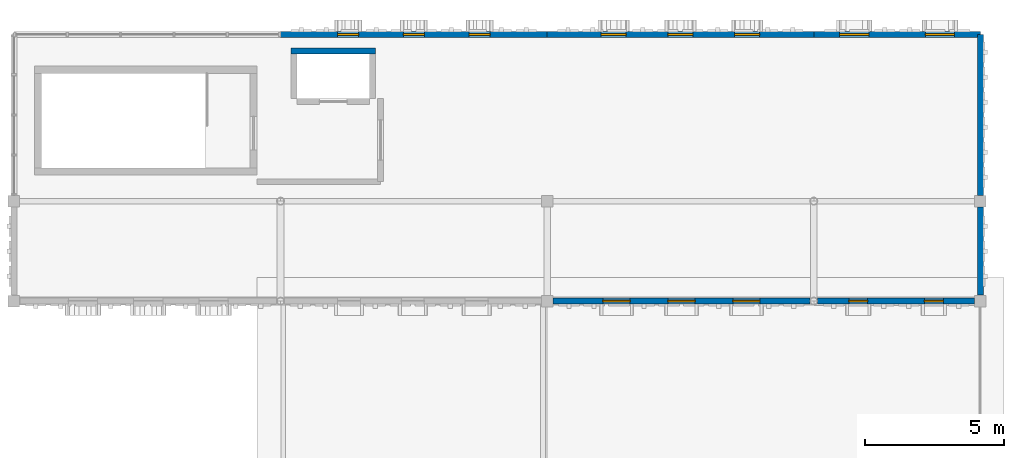
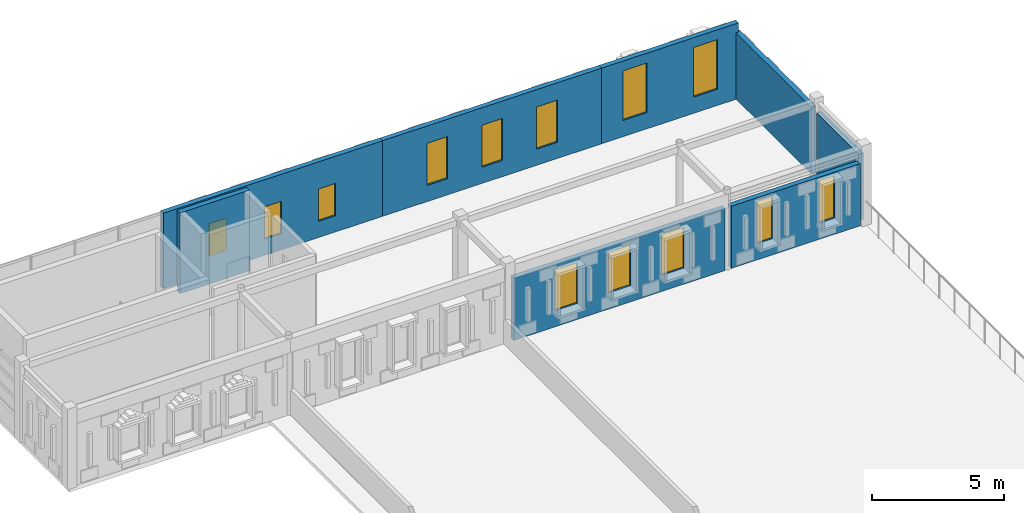
# One storey, part 18 of 25: 13 windows, 8 walls, 13 openings.
"""IFC4 building model written with IfcOpenShell, lengths in metres."""

from ifc_helpers import new_model, si_unit, direction, frame, frame_2d, origin, place, context, subcontext, project, spatial, rectangle, extrude, material, layer, layer_set, type_object, element, fill, save


model = new_model("IFC4")

# Units and contexts
model_context = context("Model", 3, precision=1e-05, world=origin(), true_north=direction((0.0, 1.0)))
body_context = subcontext(model_context, "Body", "Model", "MODEL_VIEW")
ifc_project = project(units=[si_unit("LENGTHUNIT", "METRE"), si_unit("AREAUNIT", "SQUARE_METRE"), si_unit("VOLUMEUNIT", "CUBIC_METRE"), si_unit("PLANEANGLEUNIT", "RADIAN"), si_unit("MASSUNIT", "GRAM", prefix="KILO")], contexts=[model_context])

# Site, building, storey
site_placement = place(None, origin())
site = spatial("IfcSite", under=ifc_project, at=site_placement, CompositionType="ELEMENT")
building_placement = place(site_placement, origin())
building = spatial("IfcBuilding", under=site, at=building_placement, Name="Nzembalo Square Collegiate School", CompositionType="ELEMENT")
storey_placement = place(building_placement, frame((0.0, 0.0, 21.080078125)))
storey = spatial("IfcBuildingStorey", under=building, at=storey_placement, Name="L05", CompositionType="ELEMENT", Elevation=21.080078125)

# Wall
ifc_material_1 = material(Name="Concrete C35/45", Category="concrete")
ifc_layer_1 = layer(ifc_material_1, 0.219970703125, Name="Concrete C35/45")
ifc_layer_set_1 = layer_set([ifc_layer_1], Name="Concrete C35/45")
wall_type_1 = type_object("IfcWallType", Name="SW08", PredefinedType="SHEAR", material=ifc_layer_set_1)
wall_1_placement = place(storey_placement, frame((140.780029296875, 88.2099609375, 0.0), z_axis=(0.0, 0.0, 1.0), x_axis=(1.0, 0.0, 0.0)))
element("IfcWall", 1, at=wall_1_placement, inside=storey, type_object=wall_type_1, Name="Lift LF3 shaft wall N L05", PredefinedType="SHEAR", context=body_context, shape_type="SweptSolid", body=[
    extrude(rectangle(XDim=3.0400390625, YDim=0.219970703125, at=frame_2d((1.52001953125, 0.0))), origin(), (0.0, 0.0, 1.0), 3.739990234375),
])

# Wall, openings, windows
ifc_material_2 = material(Name="CLT CL24", Category="wood")
ifc_layer_2 = layer(ifc_material_2, 0.215087890625, Name="CLT CL24")
ifc_layer_set_2 = layer_set([ifc_layer_2], Name="CLT CL24")
wall_type_2 = type_object("IfcWallType", Name="W08", PredefinedType="SOLIDWALL", material=ifc_layer_set_2)
wall_2_placement = place(storey_placement, frame((140.39990234375, 88.800048828125, 0.0), z_axis=(0.0, 0.0, 1.0), x_axis=(1.0, 0.0, 0.0)))
wall_2 = element("IfcWall", 2, at=wall_2_placement, inside=storey, type_object=wall_type_2, Name="Exterior wall W08 L05", PredefinedType="SOLIDWALL", context=body_context, shape_type="SweptSolid", body=[
    extrude(rectangle(XDim=9.60009765625, YDim=0.215087890625, at=frame_2d((4.800048828125, 0.0))), origin(), (0.0, 0.0, 1.0), 3.50390625),
])
opening_1_placement = place(wall_2_placement, frame((2.0576171875, 0.0, 0.75)))
opening_1 = element("IfcOpeningElement", 3, at=opening_1_placement, cuts=wall_2, Name="Opening WN-L05-1114", PredefinedType="OPENING", context=body_context, shape_type="SweptSolid", body=[
    extrude(rectangle(XDim=0.75, YDim=1.5, at=frame_2d((0.375, 0.75))), frame((0.0, 0.11767578125, 0.0), z_axis=(0.0, -1.0, 0.0), x_axis=(1.0, 0.0, 0.0)), (0.0, 0.0, 1.0), 0.235107421875),
])
opening_2_placement = place(wall_2_placement, frame((4.425048828125, 0.0, 0.75)))
opening_2 = element("IfcOpeningElement", 4, at=opening_2_placement, cuts=wall_2, Name="Opening WN-L05-1115", PredefinedType="OPENING", context=body_context, shape_type="SweptSolid", body=[
    extrude(rectangle(XDim=0.75, YDim=1.5, at=frame_2d((0.375, 0.75))), frame((0.0, 0.11767578125, 0.0), z_axis=(0.0, -1.0, 0.0), x_axis=(1.0, 0.0, 0.0)), (0.0, 0.0, 1.0), 0.235107421875),
])
opening_3_placement = place(wall_2_placement, frame((6.79248046875, 0.0, 0.75)))
opening_3 = element("IfcOpeningElement", 5, at=opening_3_placement, cuts=wall_2, Name="Opening WN-L05-1116", PredefinedType="OPENING", context=body_context, shape_type="SweptSolid", body=[
    extrude(rectangle(XDim=0.75, YDim=1.5, at=frame_2d((0.375, 0.75))), frame((0.0, 0.11767578125, 0.0), z_axis=(0.0, -1.0, 0.0), x_axis=(1.0, 0.0, 0.0)), (0.0, 0.0, 1.0), 0.235107421875),
])
ifc_material_3 = material(Name="Powder-coated aluminium and low-E double glazing", Category="aluminium")
window_type_1 = type_object("IfcWindowType", Name="WN05", PartitioningType="SINGLE_PANEL", PredefinedType="WINDOW", material=ifc_material_3)
window_1_placement = place(opening_1_placement, origin())
window_1 = element("IfcWindow", 6, at=window_1_placement, inside=storey, type_object=window_type_1, Name="Lancet window WN-L05-1114", OverallHeight=1.5, OverallWidth=0.75, PartitioningType="SINGLE_PANEL", PredefinedType="WINDOW", context=body_context, shape_type="SweptSolid", body=[
    extrude(rectangle(XDim=0.75, YDim=1.5, at=frame_2d((0.375, 0.75))), frame((0.0, 0.030029296875, 0.0), z_axis=(0.0, -1.0, 0.0), x_axis=(1.0, 0.0, 0.0)), (0.0, 0.0, 1.0), 0.06005859375),
])
fill(opening_1, window_1)
window_2_placement = place(opening_2_placement, origin())
window_2 = element("IfcWindow", 7, at=window_2_placement, inside=storey, type_object=window_type_1, Name="Lancet window WN-L05-1115", OverallHeight=1.5, OverallWidth=0.75, PartitioningType="SINGLE_PANEL", PredefinedType="WINDOW", context=body_context, shape_type="SweptSolid", body=[
    extrude(rectangle(XDim=0.75, YDim=1.5, at=frame_2d((0.375, 0.75))), frame((0.0, 0.030029296875, 0.0), z_axis=(0.0, -1.0, 0.0), x_axis=(1.0, 0.0, 0.0)), (0.0, 0.0, 1.0), 0.06005859375),
])
fill(opening_2, window_2)
window_3_placement = place(opening_3_placement, origin())
window_3 = element("IfcWindow", 8, at=window_3_placement, inside=storey, type_object=window_type_1, Name="Lancet window WN-L05-1116", OverallHeight=1.5, OverallWidth=0.75, PartitioningType="SINGLE_PANEL", PredefinedType="WINDOW", context=body_context, shape_type="SweptSolid", body=[
    extrude(rectangle(XDim=0.75, YDim=1.5, at=frame_2d((0.375, 0.75))), frame((0.0, 0.030029296875, 0.0), z_axis=(0.0, -1.0, 0.0), x_axis=(1.0, 0.0, 0.0)), (0.0, 0.0, 1.0), 0.06005859375),
])
fill(opening_3, window_3)

wall_3_placement = place(storey_placement, frame((150.0, 88.800048828125, 0.0), z_axis=(0.0, 0.0, 1.0), x_axis=(1.0, 0.0, 0.0)))
wall_3 = element("IfcWall", 9, at=wall_3_placement, inside=storey, type_object=wall_type_2, Name="Exterior wall W08 L05", PredefinedType="SOLIDWALL", context=body_context, shape_type="SweptSolid", body=[
    extrude(rectangle(XDim=9.60009765625, YDim=0.215087890625, at=frame_2d((4.800048828125, 0.0))), origin(), (0.0, 0.0, 1.0), 3.50390625),
])
opening_4_placement = place(wall_3_placement, frame((1.945068359375, 0.0, 0.75)))
opening_4 = element("IfcOpeningElement", 10, at=opening_4_placement, cuts=wall_3, Name="Opening WN-L05-1117", PredefinedType="OPENING", context=body_context, shape_type="SweptSolid", body=[
    extrude(rectangle(XDim=0.89990234375, YDim=1.949951171875, at=frame_2d((0.449951171875, 0.97509765625))), frame((0.0, 0.11767578125, 0.0), z_axis=(0.0, -1.0, 0.0), x_axis=(1.0, 0.0, 0.0)), (0.0, 0.0, 1.0), 0.235107421875),
])
opening_5_placement = place(wall_3_placement, frame((4.35009765625, 0.0, 0.75)))
opening_5 = element("IfcOpeningElement", 11, at=opening_5_placement, cuts=wall_3, Name="Opening WN-L05-1118", PredefinedType="OPENING", context=body_context, shape_type="SweptSolid", body=[
    extrude(rectangle(XDim=0.89990234375, YDim=1.949951171875, at=frame_2d((0.449951171875, 0.97509765625))), frame((0.0, 0.11767578125, 0.0), z_axis=(0.0, -1.0, 0.0), x_axis=(1.0, 0.0, 0.0)), (0.0, 0.0, 1.0), 0.235107421875),
])
opening_6_placement = place(wall_3_placement, frame((6.7548828125, 0.0, 0.75)))
opening_6 = element("IfcOpeningElement", 12, at=opening_6_placement, cuts=wall_3, Name="Opening WN-L05-1119", PredefinedType="OPENING", context=body_context, shape_type="SweptSolid", body=[
    extrude(rectangle(XDim=0.89990234375, YDim=1.949951171875, at=frame_2d((0.449951171875, 0.97509765625))), frame((0.0, 0.11767578125, 0.0), z_axis=(0.0, -1.0, 0.0), x_axis=(1.0, 0.0, 0.0)), (0.0, 0.0, 1.0), 0.235107421875),
])
ifc_material_4 = material(Name="Powder-coated aluminium and low-E double glazing", Category="aluminium")
window_type_2 = type_object("IfcWindowType", Name="WN08", PartitioningType="SINGLE_PANEL", PredefinedType="WINDOW", material=ifc_material_4)
window_4_placement = place(opening_4_placement, origin())
window_4 = element("IfcWindow", 13, at=window_4_placement, inside=storey, type_object=window_type_2, Name="Lancet window WN-L05-1117", OverallHeight=1.949951171875, OverallWidth=0.89990234375, PartitioningType="SINGLE_PANEL", PredefinedType="WINDOW", context=body_context, shape_type="SweptSolid", body=[
    extrude(rectangle(XDim=0.89990234375, YDim=1.949951171875, at=frame_2d((0.449951171875, 0.97509765625))), frame((0.0, 0.030029296875, 0.0), z_axis=(0.0, -1.0, 0.0), x_axis=(1.0, 0.0, 0.0)), (0.0, 0.0, 1.0), 0.06005859375),
])
fill(opening_4, window_4)
window_5_placement = place(opening_5_placement, origin())
window_5 = element("IfcWindow", 14, at=window_5_placement, inside=storey, type_object=window_type_2, Name="Lancet window WN-L05-1118", OverallHeight=1.949951171875, OverallWidth=0.89990234375, PartitioningType="SINGLE_PANEL", PredefinedType="WINDOW", context=body_context, shape_type="SweptSolid", body=[
    extrude(rectangle(XDim=0.89990234375, YDim=1.949951171875, at=frame_2d((0.449951171875, 0.97509765625))), frame((0.0, 0.030029296875, 0.0), z_axis=(0.0, -1.0, 0.0), x_axis=(1.0, 0.0, 0.0)), (0.0, 0.0, 1.0), 0.06005859375),
])
fill(opening_5, window_5)
window_6_placement = place(opening_6_placement, origin())
window_6 = element("IfcWindow", 15, at=window_6_placement, inside=storey, type_object=window_type_2, Name="Lancet window WN-L05-1119", OverallHeight=1.949951171875, OverallWidth=0.89990234375, PartitioningType="SINGLE_PANEL", PredefinedType="WINDOW", context=body_context, shape_type="SweptSolid", body=[
    extrude(rectangle(XDim=0.89990234375, YDim=1.949951171875, at=frame_2d((0.449951171875, 0.97509765625))), frame((0.0, 0.030029296875, 0.0), z_axis=(0.0, -1.0, 0.0), x_axis=(1.0, 0.0, 0.0)), (0.0, 0.0, 1.0), 0.06005859375),
])
fill(opening_6, window_6)

wall_4_placement = place(storey_placement, frame((159.60009765625, 88.800048828125, 0.0), z_axis=(0.0, 0.0, 1.0), x_axis=(1.0, 0.0, 0.0)))
wall_4 = element("IfcWall", 16, at=wall_4_placement, inside=storey, type_object=wall_type_2, Name="Exterior wall W08 L05", PredefinedType="SOLIDWALL", context=body_context, shape_type="SweptSolid", body=[
    extrude(rectangle(XDim=6.0, YDim=0.215087890625, at=frame_2d((3.0, 0.0))), origin(), (0.0, 0.0, 1.0), 3.50390625),
])
opening_7_placement = place(wall_4_placement, frame((0.9326171875, 0.0, 0.75)))
opening_7 = element("IfcOpeningElement", 17, at=opening_7_placement, cuts=wall_4, Name="Opening WN-L05-1120", PredefinedType="OPENING", context=body_context, shape_type="SweptSolid", body=[
    extrude(rectangle(XDim=1.050048828125, YDim=2.300048828125, at=frame_2d((0.52490234375, 1.14990234375))), frame((0.0, 0.11767578125, 0.0), z_axis=(0.0, -1.0, 0.0), x_axis=(1.0, 0.0, 0.0)), (0.0, 0.0, 1.0), 0.235107421875),
])
opening_8_placement = place(wall_4_placement, frame((4.017578125, 0.0, 0.75)))
opening_8 = element("IfcOpeningElement", 18, at=opening_8_placement, cuts=wall_4, Name="Opening WN-L05-1121", PredefinedType="OPENING", context=body_context, shape_type="SweptSolid", body=[
    extrude(rectangle(XDim=1.050048828125, YDim=2.300048828125, at=frame_2d((0.52490234375, 1.14990234375))), frame((0.0, 0.11767578125, 0.0), z_axis=(0.0, -1.0, 0.0), x_axis=(1.0, 0.0, 0.0)), (0.0, 0.0, 1.0), 0.235107421875),
])
ifc_material_5 = material(Name="Powder-coated aluminium and low-E double glazing", Category="aluminium")
window_type_3 = type_object("IfcWindowType", Name="WN11", PartitioningType="SINGLE_PANEL", PredefinedType="WINDOW", material=ifc_material_5)
window_7_placement = place(opening_7_placement, origin())
window_7 = element("IfcWindow", 19, at=window_7_placement, inside=storey, type_object=window_type_3, Name="Lancet window WN-L05-1120", OverallHeight=2.300048828125, OverallWidth=1.050048828125, PartitioningType="SINGLE_PANEL", PredefinedType="WINDOW", context=body_context, shape_type="SweptSolid", body=[
    extrude(rectangle(XDim=1.050048828125, YDim=2.300048828125, at=frame_2d((0.52490234375, 1.14990234375))), frame((0.0, 0.030029296875, 0.0), z_axis=(0.0, -1.0, 0.0), x_axis=(1.0, 0.0, 0.0)), (0.0, 0.0, 1.0), 0.06005859375),
])
fill(opening_7, window_7)
window_8_placement = place(opening_8_placement, origin())
window_8 = element("IfcWindow", 20, at=window_8_placement, inside=storey, type_object=window_type_3, Name="Lancet window WN-L05-1121", OverallHeight=2.300048828125, OverallWidth=1.050048828125, PartitioningType="SINGLE_PANEL", PredefinedType="WINDOW", context=body_context, shape_type="SweptSolid", body=[
    extrude(rectangle(XDim=1.050048828125, YDim=2.300048828125, at=frame_2d((0.52490234375, 1.14990234375))), frame((0.0, 0.030029296875, 0.0), z_axis=(0.0, -1.0, 0.0), x_axis=(1.0, 0.0, 0.0)), (0.0, 0.0, 1.0), 0.06005859375),
])
fill(opening_8, window_8)

# Walls
wall_5_placement = place(storey_placement, frame((165.60009765625, 79.412109375, 0.0), z_axis=(0.0, 0.0, 1.0), x_axis=(0.0, 1.0, 0.0)))
element("IfcWall", 21, at=wall_5_placement, inside=storey, type_object=wall_type_2, Name="Exterior wall W08 L05", PredefinedType="SOLIDWALL", context=body_context, shape_type="SweptSolid", body=[
    extrude(rectangle(XDim=3.17578125, YDim=0.215087890625, at=frame_2d((1.587890625, 0.0))), origin(), (0.0, 0.0, 1.0), 3.073974609375),
])
wall_6_placement = place(storey_placement, frame((165.60009765625, 83.011962890625, 0.0), z_axis=(0.0, 0.0, 1.0), x_axis=(0.0, 1.0, 0.0)))
element("IfcWall", 22, at=wall_6_placement, inside=storey, type_object=wall_type_2, Name="Exterior wall W08 L05", PredefinedType="SOLIDWALL", context=body_context, shape_type="SweptSolid", body=[
    extrude(rectangle(XDim=5.7880859375, YDim=0.215087890625, at=frame_2d((2.89404296875, 0.0))), origin(), (0.0, 0.0, 1.0), 3.073974609375),
])

# Wall, openings, windows
wall_7_placement = place(storey_placement, frame((150.2119140625, 79.199951171875, 0.0), z_axis=(0.0, 0.0, 1.0), x_axis=(1.0, 0.0, 0.0)))
wall_7 = element("IfcWall", 23, at=wall_7_placement, inside=storey, type_object=wall_type_2, Name="Exterior wall W08 L05", PredefinedType="SOLIDWALL", context=body_context, shape_type="SweptSolid", body=[
    extrude(rectangle(XDim=9.24951171875, YDim=0.215087890625, at=frame_2d((4.624755859375, 0.0))), origin(), (0.0, 0.0, 1.0), 2.884033203125),
])
opening_9_placement = place(wall_7_placement, frame((1.79736328125, 0.0, 0.75)))
opening_9 = element("IfcOpeningElement", 24, at=opening_9_placement, cuts=wall_7, Name="Opening WN-L05-1151", PredefinedType="OPENING", context=body_context, shape_type="SweptSolid", body=[
    extrude(rectangle(XDim=0.97998046875, YDim=1.8798828125, at=frame_2d((0.489990234375, 0.93994140625))), frame((0.0, 0.11767578125, 0.0), z_axis=(0.0, -1.0, 0.0), x_axis=(1.0, 0.0, 0.0)), (0.0, 0.0, 1.0), 0.235107421875),
])
opening_10_placement = place(wall_7_placement, frame((4.134765625, 0.0, 0.75)))
opening_10 = element("IfcOpeningElement", 25, at=opening_10_placement, cuts=wall_7, Name="Opening WN-L05-1152", PredefinedType="OPENING", context=body_context, shape_type="SweptSolid", body=[
    extrude(rectangle(XDim=0.97998046875, YDim=1.8798828125, at=frame_2d((0.489990234375, 0.93994140625))), frame((0.0, 0.11767578125, 0.0), z_axis=(0.0, -1.0, 0.0), x_axis=(1.0, 0.0, 0.0)), (0.0, 0.0, 1.0), 0.235107421875),
])
opening_11_placement = place(wall_7_placement, frame((6.47216796875, 0.0, 0.75)))
opening_11 = element("IfcOpeningElement", 26, at=opening_11_placement, cuts=wall_7, Name="Opening WN-L05-1153", PredefinedType="OPENING", context=body_context, shape_type="SweptSolid", body=[
    extrude(rectangle(XDim=0.97998046875, YDim=1.8798828125, at=frame_2d((0.489990234375, 0.93994140625))), frame((0.0, 0.11767578125, 0.0), z_axis=(0.0, -1.0, 0.0), x_axis=(1.0, 0.0, 0.0)), (0.0, 0.0, 1.0), 0.235107421875),
])
ifc_material_6 = material(Name="Powder-coated aluminium and low-E double glazing", Category="aluminium")
window_type_4 = type_object("IfcWindowType", Name="WN42", PartitioningType="SINGLE_PANEL", PredefinedType="WINDOW", material=ifc_material_6)
window_9_placement = place(opening_9_placement, origin())
window_9 = element("IfcWindow", 27, at=window_9_placement, inside=storey, type_object=window_type_4, Name="Lancet window WN-L05-1151", OverallHeight=1.8798828125, OverallWidth=0.97998046875, PartitioningType="SINGLE_PANEL", PredefinedType="WINDOW", context=body_context, shape_type="SweptSolid", body=[
    extrude(rectangle(XDim=0.97998046875, YDim=1.8798828125, at=frame_2d((0.489990234375, 0.93994140625))), frame((0.0, 0.030029296875, 0.0), z_axis=(0.0, -1.0, 0.0), x_axis=(1.0, 0.0, 0.0)), (0.0, 0.0, 1.0), 0.06005859375),
])
fill(opening_9, window_9)
window_10_placement = place(opening_10_placement, origin())
window_10 = element("IfcWindow", 28, at=window_10_placement, inside=storey, type_object=window_type_4, Name="Lancet window WN-L05-1152", OverallHeight=1.8798828125, OverallWidth=0.97998046875, PartitioningType="SINGLE_PANEL", PredefinedType="WINDOW", context=body_context, shape_type="SweptSolid", body=[
    extrude(rectangle(XDim=0.97998046875, YDim=1.8798828125, at=frame_2d((0.489990234375, 0.93994140625))), frame((0.0, 0.030029296875, 0.0), z_axis=(0.0, -1.0, 0.0), x_axis=(1.0, 0.0, 0.0)), (0.0, 0.0, 1.0), 0.06005859375),
])
fill(opening_10, window_10)
window_11_placement = place(opening_11_placement, origin())
window_11 = element("IfcWindow", 29, at=window_11_placement, inside=storey, type_object=window_type_4, Name="Lancet window WN-L05-1153", OverallHeight=1.8798828125, OverallWidth=0.97998046875, PartitioningType="SINGLE_PANEL", PredefinedType="WINDOW", context=body_context, shape_type="SweptSolid", body=[
    extrude(rectangle(XDim=0.97998046875, YDim=1.8798828125, at=frame_2d((0.489990234375, 0.93994140625))), frame((0.0, 0.030029296875, 0.0), z_axis=(0.0, -1.0, 0.0), x_axis=(1.0, 0.0, 0.0)), (0.0, 0.0, 1.0), 0.06005859375),
])
fill(opening_11, window_11)

wall_8_placement = place(storey_placement, frame((159.738525390625, 79.199951171875, 0.0), z_axis=(0.0, 0.0, 1.0), x_axis=(1.0, 0.0, 0.0)))
wall_8 = element("IfcWall", 30, at=wall_8_placement, inside=storey, type_object=wall_type_2, Name="Exterior wall W08 L05", PredefinedType="SOLIDWALL", context=body_context, shape_type="SweptSolid", body=[
    extrude(rectangle(XDim=5.6494140625, YDim=0.215087890625, at=frame_2d((2.82470703125, 0.0))), origin(), (0.0, 0.0, 1.0), 2.884033203125),
])
opening_12_placement = place(wall_8_placement, frame((1.122314453125, 0.0, 0.75)))
opening_12 = element("IfcOpeningElement", 31, at=opening_12_placement, cuts=wall_8, Name="Opening WN-L05-1169", PredefinedType="OPENING", context=body_context, shape_type="SweptSolid", body=[
    extrude(rectangle(XDim=0.679931640625, YDim=1.9599609375, at=frame_2d((0.33984375, 0.97998046875))), frame((0.0, 0.11767578125, 0.0), z_axis=(0.0, -1.0, 0.0), x_axis=(1.0, 0.0, 0.0)), (0.0, 0.0, 1.0), 0.235107421875),
])
opening_13_placement = place(wall_8_placement, frame((3.84716796875, 0.0, 0.75)))
opening_13 = element("IfcOpeningElement", 32, at=opening_13_placement, cuts=wall_8, Name="Opening WN-L05-1170", PredefinedType="OPENING", context=body_context, shape_type="SweptSolid", body=[
    extrude(rectangle(XDim=0.679931640625, YDim=1.9599609375, at=frame_2d((0.33984375, 0.97998046875))), frame((0.0, 0.11767578125, 0.0), z_axis=(0.0, -1.0, 0.0), x_axis=(1.0, 0.0, 0.0)), (0.0, 0.0, 1.0), 0.235107421875),
])
ifc_material_7 = material(Name="Powder-coated aluminium and low-E double glazing", Category="aluminium")
window_type_5 = type_object("IfcWindowType", Name="WN60", PartitioningType="SINGLE_PANEL", PredefinedType="WINDOW", material=ifc_material_7)
window_12_placement = place(opening_12_placement, origin())
window_12 = element("IfcWindow", 33, at=window_12_placement, inside=storey, type_object=window_type_5, Name="Lancet window WN-L05-1169", OverallHeight=1.9599609375, OverallWidth=0.679931640625, PartitioningType="SINGLE_PANEL", PredefinedType="WINDOW", context=body_context, shape_type="SweptSolid", body=[
    extrude(rectangle(XDim=0.679931640625, YDim=1.9599609375, at=frame_2d((0.33984375, 0.97998046875))), frame((0.0, 0.030029296875, 0.0), z_axis=(0.0, -1.0, 0.0), x_axis=(1.0, 0.0, 0.0)), (0.0, 0.0, 1.0), 0.06005859375),
])
fill(opening_12, window_12)
window_13_placement = place(opening_13_placement, origin())
window_13 = element("IfcWindow", 34, at=window_13_placement, inside=storey, type_object=window_type_5, Name="Lancet window WN-L05-1170", OverallHeight=1.9599609375, OverallWidth=0.679931640625, PartitioningType="SINGLE_PANEL", PredefinedType="WINDOW", context=body_context, shape_type="SweptSolid", body=[
    extrude(rectangle(XDim=0.679931640625, YDim=1.9599609375, at=frame_2d((0.33984375, 0.97998046875))), frame((0.0, 0.030029296875, 0.0), z_axis=(0.0, -1.0, 0.0), x_axis=(1.0, 0.0, 0.0)), (0.0, 0.0, 1.0), 0.06005859375),
])
fill(opening_13, window_13)

save(model, "model.ifc")
